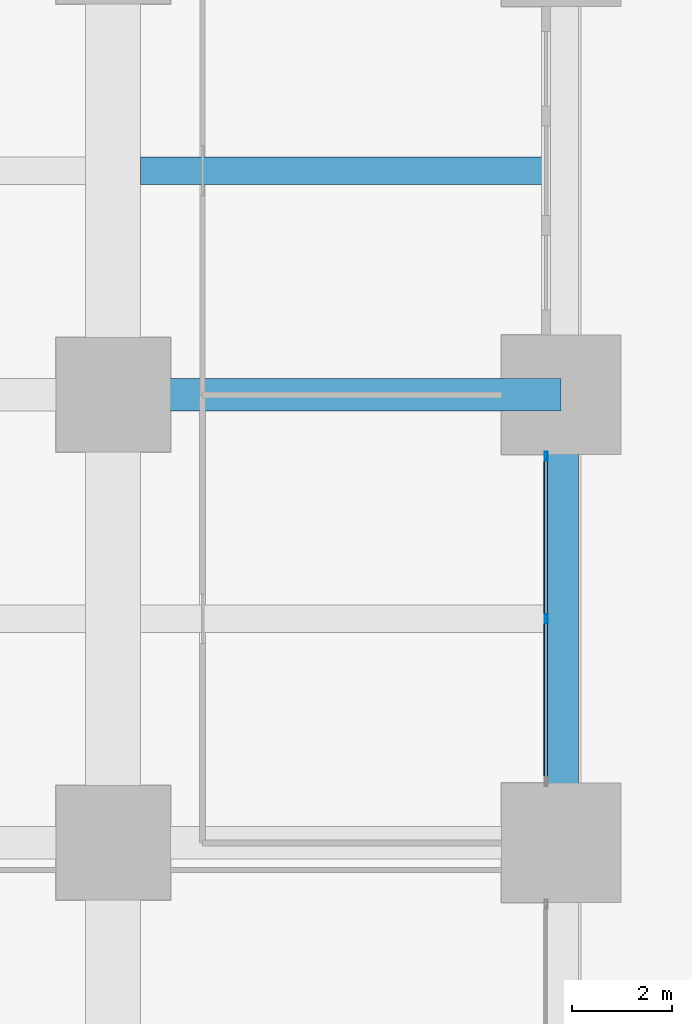
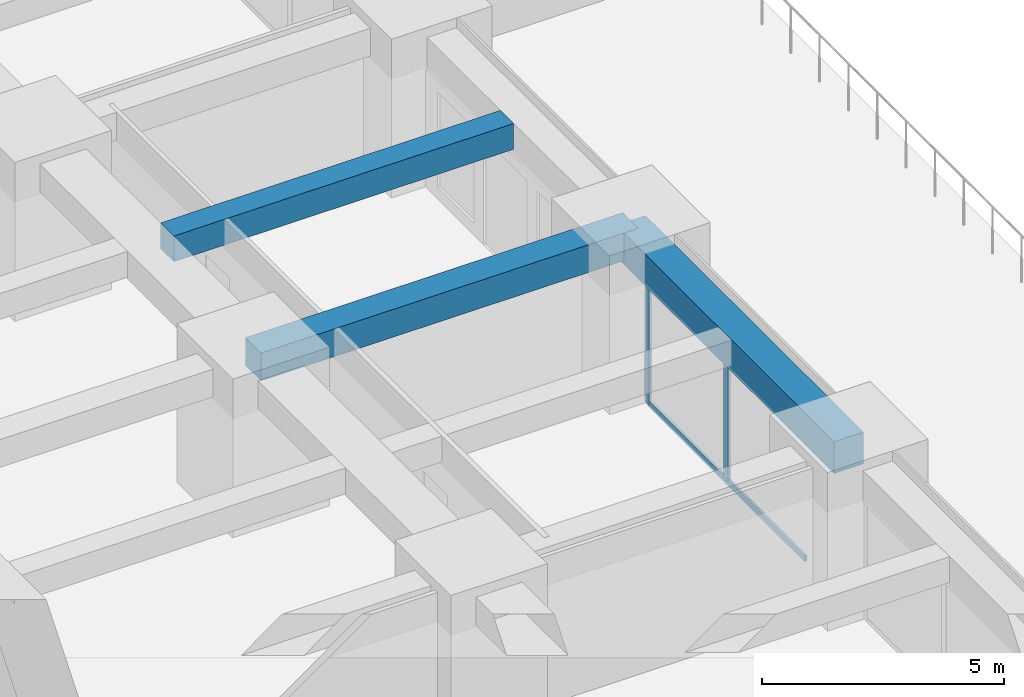
# One storey, part 26 of 38: 3 beams, 3 members, 1 element without a shape of its own.
"""IFC4 building model written with IfcOpenShell, lengths in metres."""

from ifc_helpers import new_model, si_unit, direction, frame, origin, origin_2d, place, context, subcontext, project, spatial, rectangle, hollow_rectangle, extrude, material, material_profile, profile_set, type_object, element, aggregate, save


model = new_model("IFC4")

# Units and contexts
model_context = context("Model", 3, precision=1e-05, world=origin(), true_north=direction((0.0, 1.0)))
body_context = subcontext(model_context, "Body", "Model", "MODEL_VIEW")
ifc_project = project(units=[si_unit("LENGTHUNIT", "METRE"), si_unit("AREAUNIT", "SQUARE_METRE"), si_unit("VOLUMEUNIT", "CUBIC_METRE"), si_unit("PLANEANGLEUNIT", "RADIAN"), si_unit("MASSUNIT", "GRAM", prefix="KILO")], contexts=[model_context])

# Site, building, storey
site_placement = place(None, origin())
site = spatial("IfcSite", under=ifc_project, at=site_placement, CompositionType="ELEMENT")
building_placement = place(site_placement, origin())
building = spatial("IfcBuilding", under=site, at=building_placement, Name="Zorevar Civic Tower", CompositionType="ELEMENT")
storey_placement = place(building_placement, frame((0.0, 0.0, 15.800048828125)))
storey = spatial("IfcBuildingStorey", under=building, at=storey_placement, Name="L03", CompositionType="ELEMENT", Elevation=15.800048828125)

# Beams
ifc_material_1 = material(Name="Concrete C50/60", Category="concrete")
ifc_material_profile_1 = material_profile(ifc_material_1, rectangle(XDim=0.550048828125, YDim=0.64990234375, at=origin_2d()), Name="RC 550x650")
ifc_profile_set_1 = profile_set([ifc_material_profile_1], Name="Concrete C50/60")
beam_type_1 = type_object("IfcBeamType", Name="Beam RC 550x650", PredefinedType="BEAM", material=ifc_profile_set_1)
beam_1_placement = place(storey_placement, frame((54.550048828125, 31.5, 3.425048828125), z_axis=(1.0, 0.0, 0.0), x_axis=(0.0, 1.0, 0.0)))
element("IfcBeam", 1, at=beam_1_placement, inside=storey, type_object=beam_type_1, Name="Secondary beam L04", PredefinedType="BEAM", context=body_context, shape_type="SweptSolid", body=[
    extrude(rectangle(XDim=0.550048828125, YDim=0.64990234375, at=origin_2d()), origin(), (0.0, 0.0, 1.0), 8.099853515625),
])
ifc_material_2 = material(Name="Concrete C50/60", Category="concrete")
ifc_material_profile_2 = material_profile(ifc_material_2, rectangle(XDim=0.64990234375, YDim=0.699951171875, at=origin_2d()), Name="RC 650x700")
ifc_profile_set_2 = profile_set([ifc_material_profile_2], Name="Concrete C50/60")
beam_type_2 = type_object("IfcBeamType", Name="Beam RC 650x700", PredefinedType="BEAM", material=ifc_profile_set_2)
beam_2_placement = place(storey_placement, frame((54.0, 27.0, 3.39990234375), z_axis=(1.0, 0.0, 0.0), x_axis=(0.0, 1.0, 0.0)))
element("IfcBeam", 2, at=beam_2_placement, inside=storey, type_object=beam_type_2, Name="Girder L04", PredefinedType="BEAM", context=body_context, shape_type="SweptSolid", body=[
    extrude(rectangle(XDim=0.64990234375, YDim=0.699951171875, at=origin_2d()), origin(), (0.0, 0.0, 1.0), 9.0),
])

# Curtain wall, members
ifc_material_3 = material(Name="Dark grey solar-control glass in black aluminium frame", Category="aluminium")
curtain_wall_type = type_object("IfcCurtainWallType", Name="Curtain wall CW2 low zone", PredefinedType="NOTDEFINED", material=ifc_material_3)
curtain_wall_placement = place(storey_placement, origin())
curtain_wall = element("IfcCurtainWall", 3, at=curtain_wall_placement, inside=storey, type_object=curtain_wall_type, Name="CW2 L03", PredefinedType="NOTDEFINED")
ifc_material_4 = material(Name="Aluminium, black anodised", Category="aluminium")
ifc_material_profile_3 = material_profile(ifc_material_4, hollow_rectangle(XDim=0.06005859375, YDim=0.179931640625, WallThickness=0.00390625, at=origin_2d()), Name="AL 180x60x4")
ifc_profile_set_3 = profile_set([ifc_material_profile_3], Name="Aluminium, black anodised")
member_type_1 = type_object("IfcMemberType", Name="CW2 mullion AL 180x60x4", PredefinedType="MULLION", material=ifc_profile_set_3)
member_1_placement = place(storey_placement, frame((62.699951171875, 22.5, 0.06005859375), z_axis=(0.0, 0.0, 1.0), x_axis=(-1.0, 0.0, 0.0)))
member_1 = element("IfcMember", 4, at=member_1_placement, type_object=member_type_1, Name="CW2 mullion 2", PredefinedType="MULLION", context=body_context, shape_type="SweptSolid", body=[
    extrude(hollow_rectangle(XDim=0.06005859375, YDim=0.179931640625, WallThickness=0.00390625, at=origin_2d()), origin(), (0.0, 0.0, 1.0), 2.889892578125),
])
member_2_placement = place(storey_placement, frame((62.699951171875, 25.77001953125, 0.0), z_axis=(0.0, 0.0, 1.0), x_axis=(-1.0, 0.0, 0.0)))
member_2 = element("IfcMember", 5, at=member_2_placement, type_object=member_type_1, Name="CW2 mullion 3", PredefinedType="MULLION", context=body_context, shape_type="SweptSolid", body=[
    extrude(hollow_rectangle(XDim=0.06005859375, YDim=0.179931640625, WallThickness=0.00390625, at=origin_2d()), origin(), (0.0, 0.0, 1.0), 2.949951171875),
])
ifc_material_5 = material(Name="Aluminium, black anodised", Category="aluminium")
ifc_material_profile_4 = material_profile(ifc_material_5, hollow_rectangle(XDim=0.06005859375, YDim=0.14990234375, WallThickness=0.00390625, at=origin_2d()), Name="AL 150x60x4")
ifc_profile_set_4 = profile_set([ifc_material_profile_4], Name="Aluminium, black anodised")
member_type_2 = type_object("IfcMemberType", Name="CW2 transom AL 150x60x4", PredefinedType="USERDEFINED", material=ifc_profile_set_4)
member_3_placement = place(storey_placement, frame((62.699951171875, 19.260009765625, 0.030029296875), z_axis=(0.0, 1.0, 0.0), x_axis=(-1.0, 0.0, 0.0)))
member_3 = element("IfcMember", 6, at=member_3_placement, type_object=member_type_2, Name="CW2 sill transom", ObjectType="TRANSOM", PredefinedType="USERDEFINED", context=body_context, shape_type="SweptSolid", body=[
    extrude(hollow_rectangle(XDim=0.06005859375, YDim=0.14990234375, WallThickness=0.00390625, at=origin_2d()), origin(), (0.0, 0.0, 1.0), 6.47998046875),
])
aggregate(curtain_wall, [member_1, member_2, member_3])

# Beam
ifc_material_6 = material(Name="Concrete C50/60", Category="concrete")
ifc_material_profile_5 = material_profile(ifc_material_6, rectangle(XDim=0.699951171875, YDim=0.800048828125, at=origin_2d()), Name="RC 700x800")
ifc_profile_set_5 = profile_set([ifc_material_profile_5], Name="Concrete C50/60")
beam_type_3 = type_object("IfcBeamType", Name="Edge beam RC 700x800", PredefinedType="SPANDREL", material=ifc_profile_set_5)
beam_3_placement = place(storey_placement, frame((63.0, 18.0, 3.349853515625), z_axis=(0.0, 1.0, 0.0), x_axis=(-1.0, 0.0, 0.0)))
element("IfcBeam", 7, at=beam_3_placement, inside=storey, type_object=beam_type_3, Name="Edge beam L04", PredefinedType="SPANDREL", context=body_context, shape_type="SweptSolid", body=[
    extrude(rectangle(XDim=0.699951171875, YDim=0.800048828125, at=origin_2d()), origin(), (0.0, 0.0, 1.0), 9.0),
])

save(model, "model.ifc")
